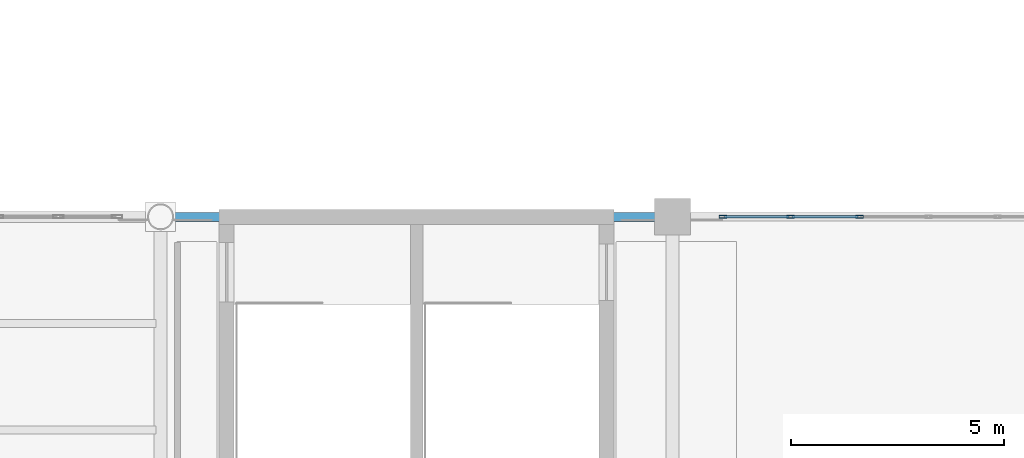
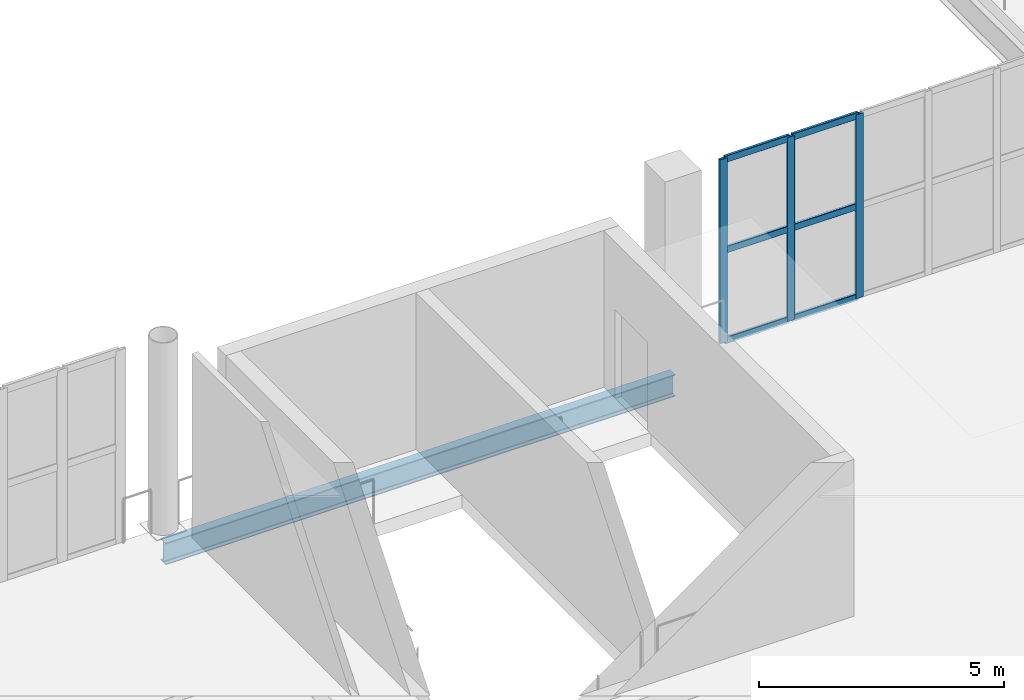
# One storey, part 26 of 49: 9 members, 1 beam, 1 element without a shape of its own.
"""IFC4 building model written with IfcOpenShell, lengths in metres."""

from ifc_helpers import new_model, si_unit, direction, frame, origin, origin_2d, place, context, subcontext, project, spatial, hollow_rectangle, i_section, extrude, material, layer, layer_set, material_profile, profile_set, type_object, element, aggregate, save


model = new_model("IFC4")

# Units and contexts
model_context = context("Model", 3, precision=1e-05, world=origin(), true_north=direction((0.0, 1.0)))
body_context = subcontext(model_context, "Body", "Model", "MODEL_VIEW")
ifc_project = project(units=[si_unit("LENGTHUNIT", "METRE"), si_unit("AREAUNIT", "SQUARE_METRE"), si_unit("VOLUMEUNIT", "CUBIC_METRE"), si_unit("PLANEANGLEUNIT", "RADIAN"), si_unit("MASSUNIT", "GRAM", prefix="KILO")], contexts=[model_context])

# Site, building, storey
site_placement = place(None, origin())
site = spatial("IfcSite", under=ifc_project, at=site_placement, CompositionType="ELEMENT")
building_placement = place(site_placement, origin())
building = spatial("IfcBuilding", under=site, at=building_placement, Name="Brinegate Civic Arena", CompositionType="ELEMENT")
storey_placement = place(building_placement, frame((0.0, 0.0, 24.60009765625)))
storey = spatial("IfcBuildingStorey", under=building, at=storey_placement, Name="L05", CompositionType="ELEMENT", Elevation=24.60009765625)

# Curtain wall, members
ifc_material_1 = material(Name="Marine grade aluminium", Category="aluminium")
ifc_layer = layer(ifc_material_1, 0.199951171875, Name="Marine grade aluminium")
ifc_layer_set = layer_set([ifc_layer], Name="Marine grade aluminium")
curtain_wall_type = type_object("IfcCurtainWallType", Name="CW-BOWL-GLAZED-01", PredefinedType="USERDEFINED", material=ifc_layer_set)
curtain_wall_placement = place(storey_placement, origin())
curtain_wall = element("IfcCurtainWall", 1, at=curtain_wall_placement, inside=storey, type_object=curtain_wall_type, Name="Curtain Wall CWA-170", ObjectType="GLAZED CURTAIN WALL", PredefinedType="USERDEFINED")
ifc_material_profile_1 = material_profile(ifc_material_1, hollow_rectangle(XDim=0.06494140625, YDim=0.179931640625, WallThickness=0.0048828125, InnerFilletRadius=0.00390625, OuterFilletRadius=0.008056640625, at=origin_2d()), Name="MUL65X180")
ifc_profile_set_1 = profile_set([ifc_material_profile_1], Name="Marine grade aluminium")
member_type_1 = type_object("IfcMemberType", Name="CW-MULLION-65X180", PredefinedType="MULLION", material=ifc_profile_set_1)
member_1_placement = place(storey_placement, frame((73.18359375, 114.0, 0.0), z_axis=(0.0, 0.0, 1.0), x_axis=(0.0, 1.0, 0.0)))
member_1 = element("IfcMember", 2, at=member_1_placement, type_object=member_type_1, Name="CWA-170 mullion 1", PredefinedType="MULLION", context=body_context, shape_type="SweptSolid", body=[
    extrude(hollow_rectangle(XDim=0.06494140625, YDim=0.179931640625, WallThickness=0.0048828125, InnerFilletRadius=0.00390625, OuterFilletRadius=0.008056640625, at=origin_2d()), origin(), (0.0, 0.0, 1.0), 4.579833984375),
])
member_2_placement = place(storey_placement, frame((74.767333984375, 114.0, 0.0), z_axis=(0.0, 0.0, 1.0), x_axis=(0.0, 1.0, 0.0)))
member_2 = element("IfcMember", 3, at=member_2_placement, type_object=member_type_1, Name="CWA-170 mullion 2", PredefinedType="MULLION", context=body_context, shape_type="SweptSolid", body=[
    extrude(hollow_rectangle(XDim=0.06494140625, YDim=0.179931640625, WallThickness=0.0048828125, InnerFilletRadius=0.00390625, OuterFilletRadius=0.008056640625, at=origin_2d()), origin(), (0.0, 0.0, 1.0), 4.579833984375),
])
member_3_placement = place(storey_placement, frame((76.383544921875, 114.0, 0.0), z_axis=(0.0, 0.0, 1.0), x_axis=(0.0, 1.0, 0.0)))
member_3 = element("IfcMember", 4, at=member_3_placement, type_object=member_type_1, Name="CWA-170 mullion 3", PredefinedType="MULLION", context=body_context, shape_type="SweptSolid", body=[
    extrude(hollow_rectangle(XDim=0.06494140625, YDim=0.179931640625, WallThickness=0.0048828125, InnerFilletRadius=0.00390625, OuterFilletRadius=0.008056640625, at=origin_2d()), origin(), (0.0, 0.0, 1.0), 4.579833984375),
])
ifc_material_profile_2 = material_profile(ifc_material_1, hollow_rectangle(XDim=0.06494140625, YDim=0.1650390625, WallThickness=0.0048828125, InnerFilletRadius=0.00390625, OuterFilletRadius=0.008056640625, at=origin_2d()), Name="TRN65X165")
ifc_profile_set_2 = profile_set([ifc_material_profile_2], Name="Marine grade aluminium")
member_type_2 = type_object("IfcMemberType", Name="CW-TRANSOM-65X165", PredefinedType="USERDEFINED", material=ifc_profile_set_2)
member_4_placement = place(storey_placement, frame((73.216064453125, 114.0, 0.032470703125), z_axis=(1.0, 0.0, 0.0), x_axis=(0.0, 1.0, 0.0)))
member_4 = element("IfcMember", 5, at=member_4_placement, type_object=member_type_2, Name="CWA-170 transom 1.1", ObjectType="TRANSOM", PredefinedType="USERDEFINED", context=body_context, shape_type="SweptSolid", body=[
    extrude(hollow_rectangle(XDim=0.06494140625, YDim=0.1650390625, WallThickness=0.0048828125, InnerFilletRadius=0.00390625, OuterFilletRadius=0.008056640625, at=origin_2d()), origin(), (0.0, 0.0, 1.0), 1.518798828125),
])
member_5_placement = place(storey_placement, frame((73.216064453125, 114.0, 2.289794921875), z_axis=(1.0, 0.0, 0.0), x_axis=(0.0, 1.0, 0.0)))
member_5 = element("IfcMember", 6, at=member_5_placement, type_object=member_type_2, Name="CWA-170 transom 1.2", ObjectType="TRANSOM", PredefinedType="USERDEFINED", context=body_context, shape_type="SweptSolid", body=[
    extrude(hollow_rectangle(XDim=0.06494140625, YDim=0.1650390625, WallThickness=0.0048828125, InnerFilletRadius=0.00390625, OuterFilletRadius=0.008056640625, at=origin_2d()), origin(), (0.0, 0.0, 1.0), 1.518798828125),
])
member_6_placement = place(storey_placement, frame((73.216064453125, 114.0, 4.54736328125), z_axis=(1.0, 0.0, 0.0), x_axis=(0.0, 1.0, 0.0)))
member_6 = element("IfcMember", 7, at=member_6_placement, type_object=member_type_2, Name="CWA-170 transom 1.3", ObjectType="TRANSOM", PredefinedType="USERDEFINED", context=body_context, shape_type="SweptSolid", body=[
    extrude(hollow_rectangle(XDim=0.06494140625, YDim=0.1650390625, WallThickness=0.0048828125, InnerFilletRadius=0.00390625, OuterFilletRadius=0.008056640625, at=origin_2d()), origin(), (0.0, 0.0, 1.0), 1.518798828125),
])
member_7_placement = place(storey_placement, frame((74.7998046875, 114.0, 0.032470703125), z_axis=(1.0, 0.0, 0.0), x_axis=(0.0, 1.0, 0.0)))
member_7 = element("IfcMember", 8, at=member_7_placement, type_object=member_type_2, Name="CWA-170 transom 2.1", ObjectType="TRANSOM", PredefinedType="USERDEFINED", context=body_context, shape_type="SweptSolid", body=[
    extrude(hollow_rectangle(XDim=0.06494140625, YDim=0.1650390625, WallThickness=0.0048828125, InnerFilletRadius=0.00390625, OuterFilletRadius=0.008056640625, at=origin_2d()), origin(), (0.0, 0.0, 1.0), 1.55126953125),
])
member_8_placement = place(storey_placement, frame((74.7998046875, 114.0, 2.289794921875), z_axis=(1.0, 0.0, 0.0), x_axis=(0.0, 1.0, 0.0)))
member_8 = element("IfcMember", 9, at=member_8_placement, type_object=member_type_2, Name="CWA-170 transom 2.2", ObjectType="TRANSOM", PredefinedType="USERDEFINED", context=body_context, shape_type="SweptSolid", body=[
    extrude(hollow_rectangle(XDim=0.06494140625, YDim=0.1650390625, WallThickness=0.0048828125, InnerFilletRadius=0.00390625, OuterFilletRadius=0.008056640625, at=origin_2d()), origin(), (0.0, 0.0, 1.0), 1.55126953125),
])
member_9_placement = place(storey_placement, frame((74.7998046875, 114.0, 4.54736328125), z_axis=(1.0, 0.0, 0.0), x_axis=(0.0, 1.0, 0.0)))
member_9 = element("IfcMember", 10, at=member_9_placement, type_object=member_type_2, Name="CWA-170 transom 2.3", ObjectType="TRANSOM", PredefinedType="USERDEFINED", context=body_context, shape_type="SweptSolid", body=[
    extrude(hollow_rectangle(XDim=0.06494140625, YDim=0.1650390625, WallThickness=0.0048828125, InnerFilletRadius=0.00390625, OuterFilletRadius=0.008056640625, at=origin_2d()), origin(), (0.0, 0.0, 1.0), 1.55126953125),
])
aggregate(curtain_wall, [member_1, member_2, member_3, member_4, member_5, member_6, member_7, member_8, member_9])

# Beam
ifc_material_2 = material(Name="Steel S355", Category="steel")
ifc_material_profile_3 = material_profile(ifc_material_2, i_section(OverallWidth=0.2119140625, OverallDepth=0.5439453125, WebThickness=0.012939453125, FlangeThickness=0.02099609375, FilletRadius=0.01611328125, at=origin_2d()), Name="W530X123")
ifc_profile_set_3 = profile_set([ifc_material_profile_3], Name="Steel S355")
beam_type = type_object("IfcBeamType", Name="SPANDREL-W530X123", PredefinedType="SPANDREL", material=ifc_profile_set_3)
beam_placement = place(storey_placement, frame((60.0, 114.0, -0.60205078125), z_axis=(1.0, 0.0, 0.0), x_axis=(0.0, 1.0, 0.0)))
element("IfcBeam", 11, at=beam_placement, inside=storey, type_object=beam_type, Name="Floor Girder BM-L05-GX-05-11", PredefinedType="SPANDREL", context=body_context, shape_type="SweptSolid", body=[
    extrude(i_section(OverallWidth=0.2119140625, OverallDepth=0.5439453125, WebThickness=0.012939453125, FlangeThickness=0.02099609375, FilletRadius=0.01611328125, at=origin_2d()), origin(), (0.0, 0.0, 1.0), 12.0),
])

save(model, "model.ifc")
